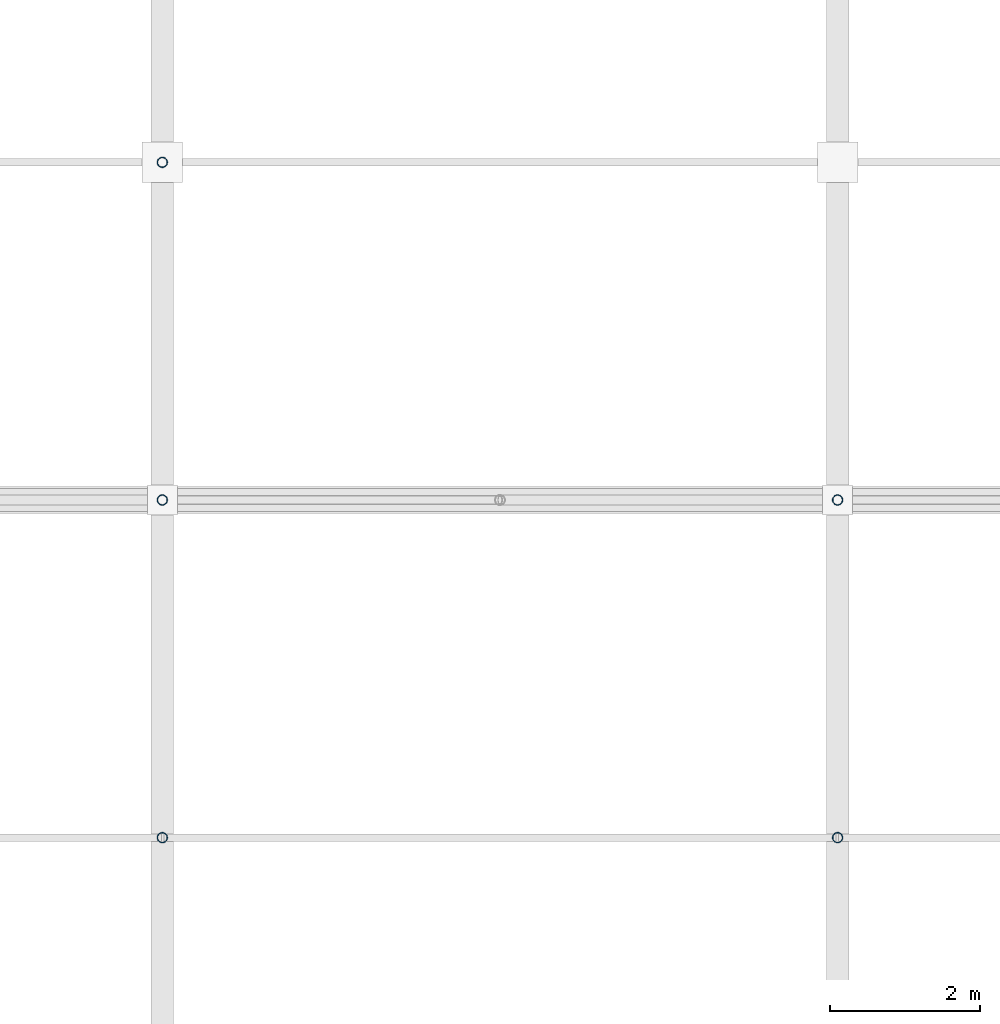
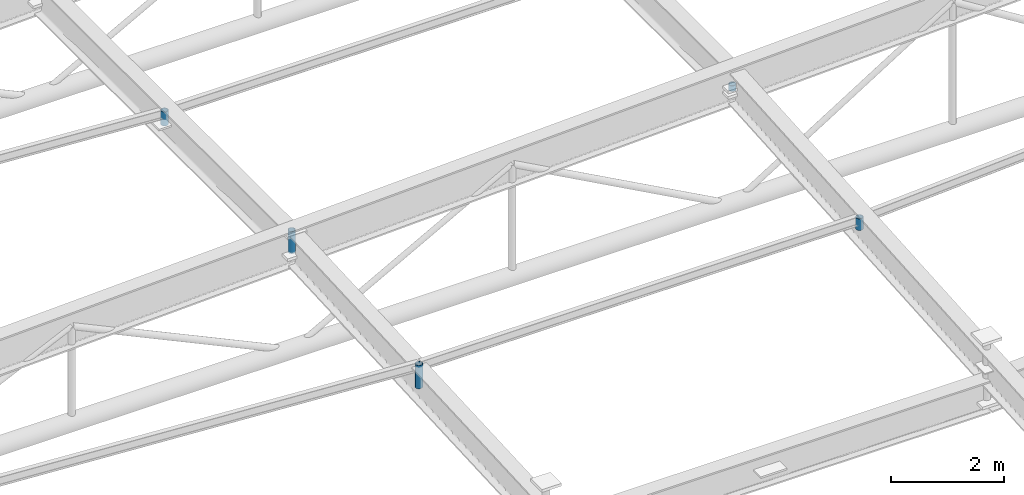
# One storey, part 67 of 80: 5 members.
"""IFC4 building model written with IfcOpenShell, lengths in metres."""

from ifc_helpers import new_model, si_unit, direction, frame, origin, origin_2d, place, context, subcontext, project, spatial, hollow_circle, extrude, material, material_profile, profile_set, type_object, element, save


model = new_model("IFC4")

# Units and contexts
model_context = context("Model", 3, precision=1e-05, world=origin(), true_north=direction((0.0, 1.0)))
body_context = subcontext(model_context, "Body", "Model", "MODEL_VIEW")
ifc_project = project(units=[si_unit("LENGTHUNIT", "METRE"), si_unit("AREAUNIT", "SQUARE_METRE"), si_unit("VOLUMEUNIT", "CUBIC_METRE"), si_unit("PLANEANGLEUNIT", "RADIAN"), si_unit("MASSUNIT", "GRAM", prefix="KILO")], contexts=[model_context])

# Site, building, storey
site_placement = place(None, origin())
site = spatial("IfcSite", under=ifc_project, at=site_placement, CompositionType="ELEMENT")
building_placement = place(site_placement, origin())
building = spatial("IfcBuilding", under=site, at=building_placement, Name="Barlavento Convention Centre", CompositionType="ELEMENT")
storey_placement = place(building_placement, frame((0.0, 0.0, 29.800048828125)))
storey = spatial("IfcBuildingStorey", under=building, at=storey_placement, Name="RF", CompositionType="ELEMENT", Elevation=29.800048828125)

# Members
ifc_material = material(Name="Steel S355", Category="steel")
ifc_material_profile = material_profile(ifc_material, hollow_circle(Radius=0.06982421875, WallThickness=0.008056640625, at=origin_2d()), Name="CHS 139.7x8.0")
ifc_profile_set = profile_set([ifc_material_profile], Name="Steel S355")
member_type = type_object("IfcMemberType", Name="STR-MEM-DIAG-CHS139", PredefinedType="BRACE", material=ifc_profile_set)
member_1_placement = place(storey_placement, frame((27.0, 18.0, -1.05322265625), z_axis=(0.0, 0.0, 1.0), x_axis=(1.0, 0.0, 0.0)))
element("IfcMember", 1, at=member_1_placement, inside=storey, type_object=member_type, Name="Congress space frame vertical node post TD04", PredefinedType="BRACE", context=body_context, shape_type="SweptSolid", body=[
    extrude(hollow_circle(Radius=0.06982421875, WallThickness=0.008056640625, at=origin_2d()), origin(), (0.0, 0.0, 1.0), 0.47314453125),
])
member_2_placement = place(storey_placement, frame((36.0, 18.0, -0.699951171875), z_axis=(0.0, 0.0, 1.0), x_axis=(1.0, 0.0, 0.0)))
element("IfcMember", 2, at=member_2_placement, inside=storey, type_object=member_type, Name="Congress space frame vertical node post TD04", PredefinedType="BRACE", context=body_context, shape_type="SweptSolid", body=[
    extrude(hollow_circle(Radius=0.06982421875, WallThickness=0.008056640625, at=origin_2d()), origin(), (0.0, 0.0, 1.0), 0.119873046875),
])
member_3_placement = place(storey_placement, frame((27.0, 13.5, -1.24169921875), z_axis=(0.0, 0.0, 1.0), x_axis=(1.0, 0.0, 0.0)))
element("IfcMember", 3, at=member_3_placement, inside=storey, type_object=member_type, Name="Congress space frame vertical node post TD04", PredefinedType="BRACE", context=body_context, shape_type="SweptSolid", body=[
    extrude(hollow_circle(Radius=0.06982421875, WallThickness=0.008056640625, at=origin_2d()), origin(), (0.0, 0.0, 1.0), 0.503662109375),
])
member_4_placement = place(storey_placement, frame((27.0, 22.5, -1.023193359375), z_axis=(0.0, 0.0, 1.0), x_axis=(1.0, 0.0, 0.0)))
element("IfcMember", 4, at=member_4_placement, inside=storey, type_object=member_type, Name="Congress space frame vertical node post TD04", PredefinedType="BRACE", context=body_context, shape_type="SweptSolid", body=[
    extrude(hollow_circle(Radius=0.06982421875, WallThickness=0.008056640625, at=origin_2d()), origin(), (0.0, 0.0, 1.0), 0.300048828125),
])
member_5_placement = place(storey_placement, frame((36.0, 13.5, -0.974609375), z_axis=(0.0, 0.0, 1.0), x_axis=(1.0, 0.0, 0.0)))
element("IfcMember", 5, at=member_5_placement, inside=storey, type_object=member_type, Name="Congress space frame vertical node post TD04", PredefinedType="BRACE", context=body_context, shape_type="SweptSolid", body=[
    extrude(hollow_circle(Radius=0.06982421875, WallThickness=0.008056640625, at=origin_2d()), origin(), (0.0, 0.0, 1.0), 0.25146484375),
])

save(model, "model.ifc")
